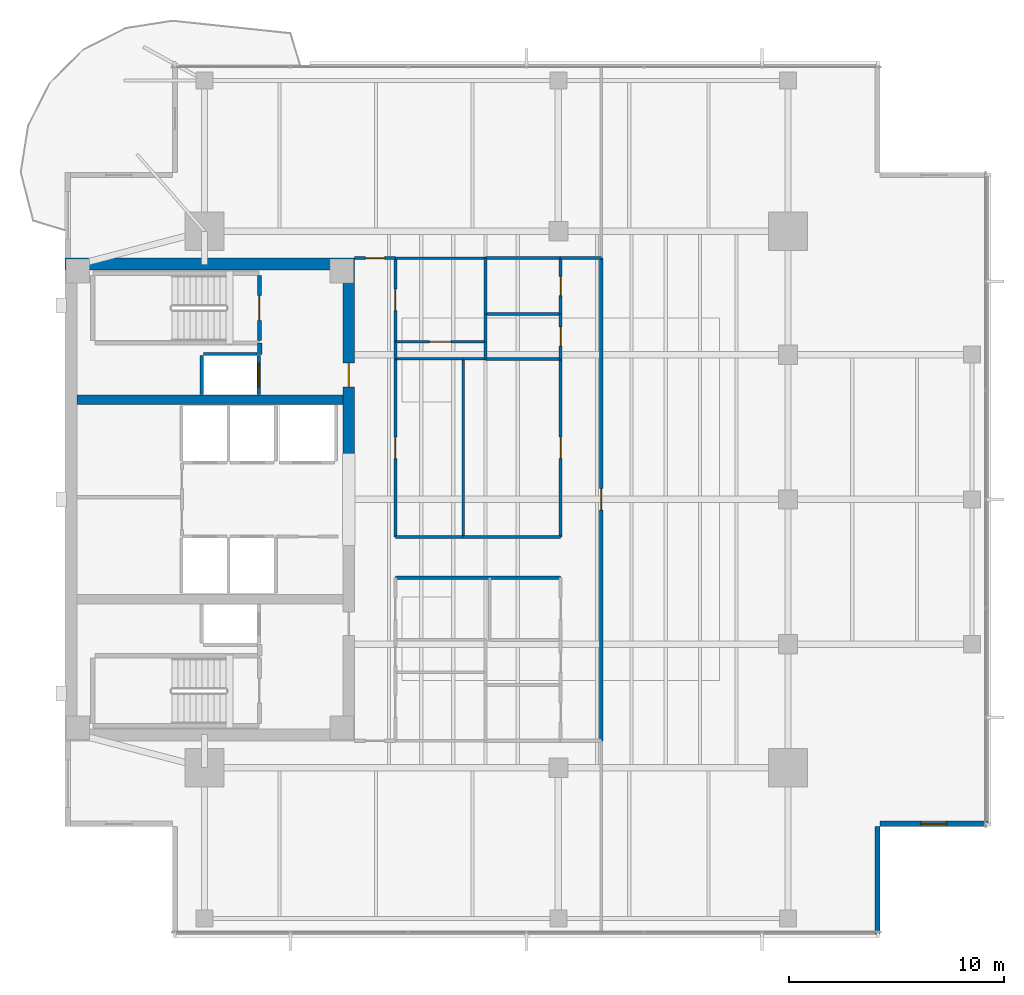
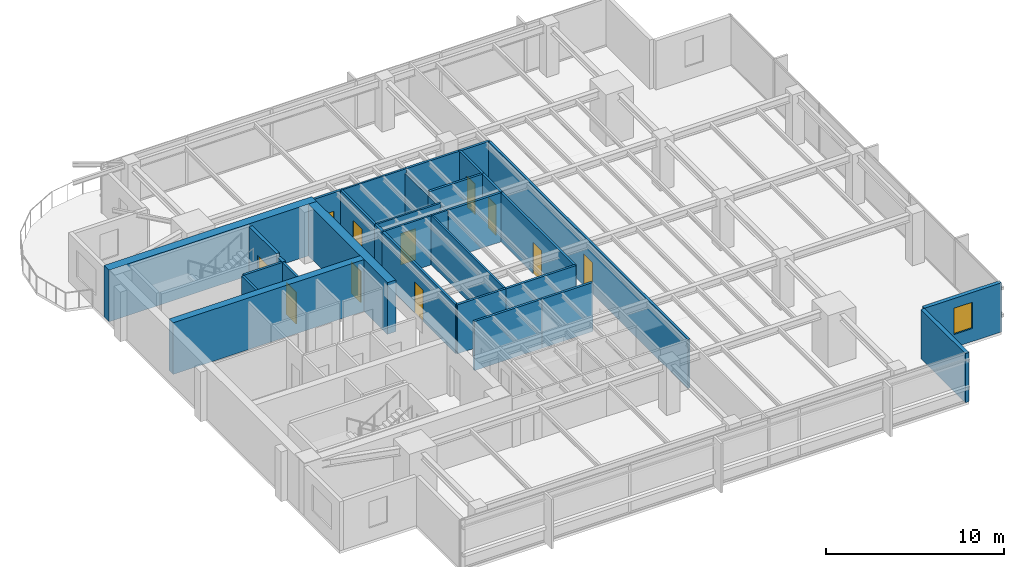
# One storey, part 9 of 14: 34 walls, 11 doors, 1 window, 12 openings.
"""IFC4 building model written with IfcOpenShell, lengths in metres."""

from ifc_helpers import new_model, si_unit, direction, frame, frame_2d, origin, place, context, subcontext, project, spatial, rectangle, extrude, material, layer, layer_set, type_object, element, fill, save


model = new_model("IFC4")

# Units and contexts
model_context = context("Model", 3, precision=1e-05, world=origin(), true_north=direction((0.0, 1.0)))
body_context = subcontext(model_context, "Body", "Model", "MODEL_VIEW")
ifc_project = project(units=[si_unit("LENGTHUNIT", "METRE"), si_unit("AREAUNIT", "SQUARE_METRE"), si_unit("VOLUMEUNIT", "CUBIC_METRE"), si_unit("PLANEANGLEUNIT", "RADIAN"), si_unit("MASSUNIT", "GRAM", prefix="KILO")], contexts=[model_context])

# Site, building, storey
site_placement = place(None, origin())
site = spatial("IfcSite", under=ifc_project, at=site_placement, CompositionType="ELEMENT")
building_placement = place(site_placement, origin())
building = spatial("IfcBuilding", under=site, at=building_placement, Name="Kinhvarn Gate Tower", CompositionType="ELEMENT")
storey_placement = place(building_placement, frame((0.0, 0.0, 198.699951171875)))
storey = spatial("IfcBuildingStorey", under=building, at=storey_placement, Name="L52", CompositionType="ELEMENT", Elevation=198.699951171875)

# Walls
ifc_material_1 = material(Name="Concrete C50/60", Category="concrete")
ifc_layer_1 = layer(ifc_material_1, 0.449951171875)
ifc_layer_set_1 = layer_set([ifc_layer_1], Name="Concrete C50/60")
wall_type_1 = type_object("IfcWallType", Name="WL-CORE-450", PredefinedType="SHEAR", material=ifc_layer_set_1)
wall_1_placement = place(storey_placement, frame((5.050048828125, 29.89990234375, 0.0), z_axis=(0.0, 0.0, 1.0), x_axis=(1.0, 0.0, 0.0)))
element("IfcWall", 1, at=wall_1_placement, inside=storey, type_object=wall_type_1, Name="Core North Spine Shear Wall L52 450 mm", PredefinedType="SHEAR", context=body_context, shape_type="SweptSolid", body=[
    extrude(rectangle(XDim=12.39990234375, YDim=0.449951171875, at=frame_2d((6.199951171875, 0.0))), origin(), (0.0, 0.0, 1.0), 3.550048828125),
])
ifc_material_2 = material(Name="Concrete C60/75", Category="concrete")
ifc_layer_2 = layer(ifc_material_2, 0.550048828125)
ifc_layer_set_2 = layer_set([ifc_layer_2], Name="Concrete C60/75")
wall_type_2 = type_object("IfcWallType", Name="WL-CORE-550", PredefinedType="SHEAR", material=ifc_layer_set_2)
wall_2_placement = place(storey_placement, frame((4.5, 36.22509765625, 0.0), z_axis=(0.0, 0.0, 1.0), x_axis=(1.0, 0.0, 0.0)))
element("IfcWall", 2, at=wall_2_placement, inside=storey, type_object=wall_type_2, Name="Core North Shear Wall L52 550 mm", PredefinedType="SHEAR", context=body_context, shape_type="SweptSolid", body=[
    extrude(rectangle(XDim=13.5, YDim=0.550048828125, at=frame_2d((6.75, 0.0))), origin(), (0.0, 0.0, 1.0), 3.550048828125),
])

# Wall, opening, door
wall_3_placement = place(storey_placement, frame((17.72509765625, 27.050048828125, 0.0), z_axis=(0.0, 0.0, 1.0), x_axis=(0.0, 1.0, 0.0)))
wall_3 = element("IfcWall", 3, at=wall_3_placement, inside=storey, type_object=wall_type_2, Name="Core East-North Shear Pier L52 550 mm", PredefinedType="SHEAR", context=body_context, shape_type="SweptSolid", body=[
    extrude(rectangle(XDim=8.89990234375, YDim=0.550048828125, at=frame_2d((4.449951171875, 0.0))), origin(), (0.0, 0.0, 1.0), 3.550048828125),
])
opening_1_placement = place(wall_3_placement, frame((3.449951171875, 0.0, 0.0)))
opening_1 = element("IfcOpeningElement", 4, at=opening_1_placement, cuts=wall_3, Name="Opening FD-02", PredefinedType="OPENING", context=body_context, shape_type="SweptSolid", body=[
    extrude(rectangle(XDim=1.10009765625, YDim=2.14990234375, at=frame_2d((0.550048828125, 1.074951171875))), frame((0.0, 0.28515625, 0.0), z_axis=(0.0, -1.0, 0.0), x_axis=(1.0, 0.0, 0.0)), (0.0, 0.0, 1.0), 0.570068359375),
])
ifc_material_3 = material(Name="Anodised aluminium AW-6063", Category="aluminium")
door_type_1 = type_object("IfcDoorType", Name="DR-FD-1100", OperationType="NOTDEFINED", PredefinedType="DOOR", material=ifc_material_3)
door_1_placement = place(opening_1_placement, origin())
door_1 = element("IfcDoor", 5, at=door_1_placement, inside=storey, type_object=door_type_1, Name="Firefighting Lobby Core Door (L52)", OperationType="SINGLE_SWING_LEFT", OverallHeight=2.14990234375, OverallWidth=1.10009765625, PredefinedType="DOOR", context=body_context, shape_type="SweptSolid", body=[
    extrude(rectangle(XDim=1.10009765625, YDim=2.14990234375, at=frame_2d((0.550048828125, 1.074951171875))), frame((0.0, 0.02490234375, 0.0), z_axis=(0.0, -1.0, 0.0), x_axis=(1.0, 0.0, 0.0)), (0.0, 0.0, 1.0), 0.050048828125),
])
fill(opening_1, door_1)

# Wall
ifc_material_4 = material(Name="Fired architectural terracotta", Category="masonry")
ifc_layer_3 = layer(ifc_material_4, 0.25)
ifc_layer_set_3 = layer_set([ifc_layer_3], Name="Fired architectural terracotta")
wall_type_3 = type_object("IfcWallType", Name="WL-EXT-250", PredefinedType="SOLIDWALL", material=ifc_layer_set_3)
wall_4_placement = place(storey_placement, frame((42.375, 5.0, 0.0), z_axis=(0.0, 0.0, 1.0), x_axis=(0.0, 1.0, 0.0)))
element("IfcWall", 6, at=wall_4_placement, inside=storey, type_object=wall_type_3, Name="Exterior Solidwall Wall EW-250 (L52 SE-Notch-1)", PredefinedType="SOLIDWALL", context=body_context, shape_type="SweptSolid", body=[
    extrude(rectangle(XDim=5.0, YDim=0.25, at=frame_2d((2.5, 0.0))), origin(), (0.0, 0.0, 1.0), 3.3701171875),
])

# Wall, opening, window
wall_5_placement = place(storey_placement, frame((42.5, 10.125, 0.0), z_axis=(0.0, 0.0, 1.0), x_axis=(1.0, 0.0, 0.0)))
wall_5 = element("IfcWall", 7, at=wall_5_placement, inside=storey, type_object=wall_type_3, Name="Exterior Solidwall Wall EW-250 (L52 SE-Notch-2)", PredefinedType="SOLIDWALL", context=body_context, shape_type="SweptSolid", body=[
    extrude(rectangle(XDim=5.0, YDim=0.25, at=frame_2d((2.5, 0.0))), origin(), (0.0, 0.0, 1.0), 3.3701171875),
])
opening_2_placement = place(wall_5_placement, frame((1.89990234375, 0.0, 0.89990234375)))
opening_2 = element("IfcOpeningElement", 8, at=opening_2_placement, cuts=wall_5, Name="Opening WN-02", PredefinedType="OPENING", context=body_context, shape_type="SweptSolid", body=[
    extrude(rectangle(XDim=1.199951171875, YDim=1.800048828125, at=frame_2d((0.60009765625, 0.89990234375))), frame((0.0, 0.135009765625, 0.0), z_axis=(0.0, -1.0, 0.0), x_axis=(1.0, 0.0, 0.0)), (0.0, 0.0, 1.0), 0.27001953125),
])
ifc_material_5 = material(Name="Clear low-e double glazing", Category="glass")
window_type = type_object("IfcWindowType", Name="WIN-NTC-1200", PartitioningType="SINGLE_PANEL", PredefinedType="WINDOW", material=ifc_material_5)
window_placement = place(opening_2_placement, origin())
window = element("IfcWindow", 9, at=window_placement, inside=storey, type_object=window_type, Name="Recessed Corner Notch Punched Window 1200x1800 mm (L52)", OverallHeight=1.800048828125, OverallWidth=1.199951171875, PartitioningType="SINGLE_PANEL", PredefinedType="WINDOW", context=body_context, shape_type="SweptSolid", body=[
    extrude(rectangle(XDim=1.199951171875, YDim=1.800048828125, at=frame_2d((0.60009765625, 0.89990234375))), frame((0.0, 0.030029296875, 0.0), z_axis=(0.0, -1.0, 0.0), x_axis=(1.0, 0.0, 0.0)), (0.0, 0.0, 1.0), 0.06005859375),
])
fill(opening_2, window)

# Walls
ifc_material_6 = material(Name="Gypsum acoustic partition board")
ifc_layer_4 = layer(ifc_material_6, 0.14990234375)
ifc_layer_set_4 = layer_set([ifc_layer_4], Name="Gypsum acoustic partition board")
wall_type_4 = type_object("IfcWallType", Name="WL-PLM-150", PredefinedType="PLUMBINGWALL", material=ifc_layer_set_4)
wall_6_placement = place(storey_placement, frame((24.10009765625, 33.89990234375, 0.0), z_axis=(0.0, 0.0, 1.0), x_axis=(1.0, 0.0, 0.0)))
element("IfcWall", 10, at=wall_6_placement, inside=storey, type_object=wall_type_4, Name="Interior Partition PLW-150 (L52)", PredefinedType="PLUMBINGWALL", context=body_context, shape_type="SweptSolid", body=[
    extrude(rectangle(XDim=3.5, YDim=0.14990234375, at=frame_2d((1.75, 0.0))), origin(), (0.0, 0.0, 1.0), 3.3701171875),
])
wall_7_placement = place(storey_placement, frame((24.10009765625, 33.89990234375, 0.0), z_axis=(0.0, 0.0, 1.0), x_axis=(0.0, 1.0, 0.0)))
element("IfcWall", 11, at=wall_7_placement, inside=storey, type_object=wall_type_4, Name="Interior Partition PLW-150 (L52)", PredefinedType="PLUMBINGWALL", context=body_context, shape_type="SweptSolid", body=[
    extrude(rectangle(XDim=2.60009765625, YDim=0.14990234375, at=frame_2d((1.300048828125, 0.0))), origin(), (0.0, 0.0, 1.0), 3.070068359375),
])
wall_8_placement = place(storey_placement, frame((24.10009765625, 36.5, 0.0), z_axis=(0.0, 0.0, 1.0), x_axis=(1.0, 0.0, 0.0)))
element("IfcWall", 12, at=wall_8_placement, inside=storey, type_object=wall_type_4, Name="Interior Partition PLW-150 (L52)", PredefinedType="PLUMBINGWALL", context=body_context, shape_type="SweptSolid", body=[
    extrude(rectangle(XDim=3.5, YDim=0.14990234375, at=frame_2d((1.75, 0.0))), origin(), (0.0, 0.0, 1.0), 3.3701171875),
])
wall_9_placement = place(storey_placement, frame((24.10009765625, 32.60009765625, 0.0), z_axis=(0.0, 0.0, 1.0), x_axis=(0.0, 1.0, 0.0)))
element("IfcWall", 13, at=wall_9_placement, inside=storey, type_object=wall_type_4, Name="Interior Partition PLW-150 (L52)", PredefinedType="PLUMBINGWALL", context=body_context, shape_type="SweptSolid", body=[
    extrude(rectangle(XDim=1.2998046875, YDim=0.14990234375, at=frame_2d((0.64990234375, 0.0))), origin(), (0.0, 0.0, 1.0), 3.070068359375),
])
wall_10_placement = place(storey_placement, frame((24.10009765625, 31.800048828125, 0.0), z_axis=(0.0, 0.0, 1.0), x_axis=(0.0, 1.0, 0.0)))
element("IfcWall", 14, at=wall_10_placement, inside=storey, type_object=wall_type_4, Name="Interior Partition PLW-150 (L52)", PredefinedType="PLUMBINGWALL", context=body_context, shape_type="SweptSolid", body=[
    extrude(rectangle(XDim=0.800048828125, YDim=0.14990234375, at=frame_2d((0.39990234375, 0.0))), origin(), (0.0, 0.0, 1.0), 3.070068359375),
])
wall_11_placement = place(storey_placement, frame((24.10009765625, 31.800048828125, 0.0), z_axis=(0.0, 0.0, 1.0), x_axis=(1.0, 0.0, 0.0)))
element("IfcWall", 15, at=wall_11_placement, inside=storey, type_object=wall_type_4, Name="Interior Partition PLW-150 (L52)", PredefinedType="PLUMBINGWALL", context=body_context, shape_type="SweptSolid", body=[
    extrude(rectangle(XDim=3.5, YDim=0.14990234375, at=frame_2d((1.75, 0.0))), origin(), (0.0, 0.0, 1.0), 3.3701171875),
])

# Wall, opening, door
ifc_layer_5 = layer(ifc_material_6, 0.14990234375)
ifc_layer_set_5 = layer_set([ifc_layer_5], Name="Gypsum acoustic partition board")
wall_type_5 = type_object("IfcWallType", Name="WL-PLM-150F", PredefinedType="PLUMBINGWALL", material=ifc_layer_set_5)
wall_12_placement = place(storey_placement, frame((27.60009765625, 33.89990234375, 0.0), z_axis=(0.0, 0.0, 1.0), x_axis=(0.0, 1.0, 0.0)))
wall_12 = element("IfcWall", 16, at=wall_12_placement, inside=storey, type_object=wall_type_5, Name="Interior Partition PLW-150F (L52)", PredefinedType="PLUMBINGWALL", context=body_context, shape_type="SweptSolid", body=[
    extrude(rectangle(XDim=2.60009765625, YDim=0.14990234375, at=frame_2d((1.300048828125, 0.0))), origin(), (0.0, 0.0, 1.0), 3.3701171875),
])
opening_3_placement = place(wall_12_placement, frame((0.85009765625, 0.0, 0.0)))
opening_3 = element("IfcOpeningElement", 17, at=opening_3_placement, cuts=wall_12, Name="Opening FD-04", PredefinedType="OPENING", context=body_context, shape_type="SweptSolid", body=[
    extrude(rectangle(XDim=0.89990234375, YDim=2.10009765625, at=frame_2d((0.449951171875, 1.050048828125))), frame((0.0, 0.0849609375, 0.0), z_axis=(0.0, -1.0, 0.0), x_axis=(1.0, 0.0, 0.0)), (0.0, 0.0, 1.0), 0.169921875),
])
door_type_2 = type_object("IfcDoorType", Name="DR-FD-900", OperationType="NOTDEFINED", PredefinedType="DOOR", material=ifc_material_3)
door_2_placement = place(opening_3_placement, origin())
door_2 = element("IfcDoor", 18, at=door_2_placement, inside=storey, type_object=door_type_2, Name="Rated Riser & Service Closet Fire Door 900x2100 mm (L52)", OperationType="SINGLE_SWING_RIGHT", OverallHeight=2.10009765625, OverallWidth=0.89990234375, PredefinedType="DOOR", context=body_context, shape_type="SweptSolid", body=[
    extrude(rectangle(XDim=0.89990234375, YDim=2.10009765625, at=frame_2d((0.449951171875, 1.050048828125))), frame((0.0, 0.02490234375, 0.0), z_axis=(0.0, -1.0, 0.0), x_axis=(1.0, 0.0, 0.0)), (0.0, 0.0, 1.0), 0.050048828125),
])
fill(opening_3, door_2)

wall_13_placement = place(storey_placement, frame((27.60009765625, 31.800048828125, 0.0), z_axis=(0.0, 0.0, 1.0), x_axis=(0.0, 1.0, 0.0)))
wall_13 = element("IfcWall", 19, at=wall_13_placement, inside=storey, type_object=wall_type_5, Name="Interior Partition PLW-150F (L52)", PredefinedType="PLUMBINGWALL", context=body_context, shape_type="SweptSolid", body=[
    extrude(rectangle(XDim=2.099853515625, YDim=0.14990234375, at=frame_2d((1.0498046875, 0.0))), origin(), (0.0, 0.0, 1.0), 3.3701171875),
])
opening_4_placement = place(wall_13_placement, frame((0.60009765625, 0.0, 0.0)))
opening_4 = element("IfcOpeningElement", 20, at=opening_4_placement, cuts=wall_13, Name="Opening FD-04", PredefinedType="OPENING", context=body_context, shape_type="SweptSolid", body=[
    extrude(rectangle(XDim=0.89990234375, YDim=2.10009765625, at=frame_2d((0.449951171875, 1.050048828125))), frame((0.0, 0.0849609375, 0.0), z_axis=(0.0, -1.0, 0.0), x_axis=(1.0, 0.0, 0.0)), (0.0, 0.0, 1.0), 0.169921875),
])
door_3_placement = place(opening_4_placement, origin())
door_3 = element("IfcDoor", 21, at=door_3_placement, inside=storey, type_object=door_type_2, Name="Rated Riser & Service Closet Fire Door 900x2100 mm (L52)", OperationType="SINGLE_SWING_RIGHT", OverallHeight=2.10009765625, OverallWidth=0.89990234375, PredefinedType="DOOR", context=body_context, shape_type="SweptSolid", body=[
    extrude(rectangle(XDim=0.89990234375, YDim=2.10009765625, at=frame_2d((0.449951171875, 1.050048828125))), frame((0.0, 0.02490234375, 0.0), z_axis=(0.0, -1.0, 0.0), x_axis=(1.0, 0.0, 0.0)), (0.0, 0.0, 1.0), 0.050048828125),
])
fill(opening_4, door_3)

ifc_layer_6 = layer(ifc_material_6, 0.1201171875)
ifc_layer_set_6 = layer_set([ifc_layer_6], Name="Gypsum acoustic partition board")
wall_type_6 = type_object("IfcWallType", Name="WL-PRT-120", PredefinedType="PARTITIONING", material=ifc_layer_set_6)
wall_14_placement = place(storey_placement, frame((19.89990234375, 32.60009765625, 0.0), z_axis=(0.0, 0.0, 1.0), x_axis=(1.0, 0.0, 0.0)))
wall_14 = element("IfcWall", 22, at=wall_14_placement, inside=storey, type_object=wall_type_6, Name="Interior Partition PW-120 (L52)", PredefinedType="PARTITIONING", context=body_context, shape_type="SweptSolid", body=[
    extrude(rectangle(XDim=4.2001953125, YDim=0.1201171875, at=frame_2d((2.10009765625, 0.0))), origin(), (0.0, 0.0, 1.0), 3.3701171875),
])
opening_5_placement = place(wall_14_placement, frame((1.60009765625, 0.0, 0.0)))
opening_5 = element("IfcOpeningElement", 23, at=opening_5_placement, cuts=wall_14, Name="Opening ID-02", PredefinedType="OPENING", context=body_context, shape_type="SweptSolid", body=[
    extrude(rectangle(XDim=1.0, YDim=2.14990234375, at=frame_2d((0.5, 1.074951171875))), frame((0.0, 0.070068359375, 0.0), z_axis=(0.0, -1.0, 0.0), x_axis=(1.0, 0.0, 0.0)), (0.0, 0.0, 1.0), 0.14013671875),
])
door_type_3 = type_object("IfcDoorType", Name="DR-INT-1000", OperationType="NOTDEFINED", PredefinedType="DOOR", material=ifc_material_3)
door_4_placement = place(opening_5_placement, origin())
door_4 = element("IfcDoor", 24, at=door_4_placement, inside=storey, type_object=door_type_3, Name="Standard Office & Meeting Room Door 1000x2150 mm (L52)", OperationType="SINGLE_SWING_RIGHT", OverallHeight=2.14990234375, OverallWidth=1.0, PredefinedType="DOOR", context=body_context, shape_type="SweptSolid", body=[
    extrude(rectangle(XDim=1.0, YDim=2.14990234375, at=frame_2d((0.5, 1.074951171875))), frame((0.0, 0.02490234375, 0.0), z_axis=(0.0, -1.0, 0.0), x_axis=(1.0, 0.0, 0.0)), (0.0, 0.0, 1.0), 0.050048828125),
])
fill(opening_5, door_4)

# Walls
wall_15_placement = place(storey_placement, frame((19.89990234375, 36.5, 0.0), z_axis=(0.0, 0.0, 1.0), x_axis=(1.0, 0.0, 0.0)))
element("IfcWall", 25, at=wall_15_placement, inside=storey, type_object=wall_type_6, Name="Interior Partition PW-120 (L52)", PredefinedType="PARTITIONING", context=body_context, shape_type="SweptSolid", body=[
    extrude(rectangle(XDim=4.2001953125, YDim=0.1201171875, at=frame_2d((2.10009765625, 0.0))), origin(), (0.0, 0.0, 1.0), 3.3701171875),
])
wall_16_placement = place(storey_placement, frame((19.89990234375, 31.800048828125, 0.0), z_axis=(0.0, 0.0, 1.0), x_axis=(1.0, 0.0, 0.0)))
element("IfcWall", 26, at=wall_16_placement, inside=storey, type_object=wall_type_6, Name="Interior Partition PW-120 (L52)", PredefinedType="PARTITIONING", context=body_context, shape_type="SweptSolid", body=[
    extrude(rectangle(XDim=3.16015625, YDim=0.1201171875, at=frame_2d((1.580078125, 0.0))), origin(), (0.0, 0.0, 1.0), 3.3701171875),
])
wall_17_placement = place(storey_placement, frame((23.06005859375, 31.800048828125, 0.0), z_axis=(0.0, 0.0, 1.0), x_axis=(1.0, 0.0, 0.0)))
element("IfcWall", 27, at=wall_17_placement, inside=storey, type_object=wall_type_6, Name="Interior Partition PW-120 (L52)", PredefinedType="PARTITIONING", context=body_context, shape_type="SweptSolid", body=[
    extrude(rectangle(XDim=1.0400390625, YDim=0.1201171875, at=frame_2d((0.52001953125, 0.0))), origin(), (0.0, 0.0, 1.0), 3.3701171875),
])
wall_18_placement = place(storey_placement, frame((23.06005859375, 23.5, 0.0), z_axis=(0.0, 0.0, 1.0), x_axis=(0.0, 1.0, 0.0)))
element("IfcWall", 28, at=wall_18_placement, inside=storey, type_object=wall_type_6, Name="Interior Partition PW-120 (L52)", PredefinedType="PARTITIONING", context=body_context, shape_type="SweptSolid", body=[
    extrude(rectangle(XDim=8.300048828125, YDim=0.1201171875, at=frame_2d((4.14990234375, 0.0))), origin(), (0.0, 0.0, 1.0), 3.3701171875),
])

# Wall, opening, door
ifc_layer_7 = layer(ifc_material_6, 0.14990234375)
ifc_layer_set_7 = layer_set([ifc_layer_7], Name="Gypsum acoustic partition board")
wall_type_7 = type_object("IfcWallType", Name="WL-PRT-150F", PredefinedType="PARTITIONING", material=ifc_layer_set_7)
wall_19_placement = place(storey_placement, frame((19.89990234375, 32.60009765625, 0.0), z_axis=(0.0, 0.0, 1.0), x_axis=(0.0, 1.0, 0.0)))
wall_19 = element("IfcWall", 29, at=wall_19_placement, inside=storey, type_object=wall_type_7, Name="Interior Partition PW-150F (L52)", PredefinedType="PARTITIONING", context=body_context, shape_type="SweptSolid", body=[
    extrude(rectangle(XDim=3.89990234375, YDim=0.14990234375, at=frame_2d((1.949951171875, 0.0))), origin(), (0.0, 0.0, 1.0), 3.3701171875),
])
opening_6_placement = place(wall_19_placement, frame((1.449951171875, 0.0, 0.0)))
opening_6 = element("IfcOpeningElement", 30, at=opening_6_placement, cuts=wall_19, Name="Opening ID-02", PredefinedType="OPENING", context=body_context, shape_type="SweptSolid", body=[
    extrude(rectangle(XDim=1.0, YDim=2.14990234375, at=frame_2d((0.5, 1.074951171875))), frame((0.0, 0.0849609375, 0.0), z_axis=(0.0, -1.0, 0.0), x_axis=(1.0, 0.0, 0.0)), (0.0, 0.0, 1.0), 0.169921875),
])
door_5_placement = place(opening_6_placement, origin())
door_5 = element("IfcDoor", 31, at=door_5_placement, inside=storey, type_object=door_type_3, Name="Standard Office & Meeting Room Door 1000x2150 mm (L52)", OperationType="SINGLE_SWING_RIGHT", OverallHeight=2.14990234375, OverallWidth=1.0, PredefinedType="DOOR", context=body_context, shape_type="SweptSolid", body=[
    extrude(rectangle(XDim=1.0, YDim=2.14990234375, at=frame_2d((0.5, 1.074951171875))), frame((0.0, 0.02490234375, 0.0), z_axis=(0.0, -1.0, 0.0), x_axis=(1.0, 0.0, 0.0)), (0.0, 0.0, 1.0), 0.050048828125),
])
fill(opening_6, door_5)

# Wall
wall_20_placement = place(storey_placement, frame((19.89990234375, 31.800048828125, 0.0), z_axis=(0.0, 0.0, 1.0), x_axis=(0.0, 1.0, 0.0)))
element("IfcWall", 32, at=wall_20_placement, inside=storey, type_object=wall_type_7, Name="Interior Partition PW-150F (L52)", PredefinedType="PARTITIONING", context=body_context, shape_type="SweptSolid", body=[
    extrude(rectangle(XDim=0.800048828125, YDim=0.14990234375, at=frame_2d((0.39990234375, 0.0))), origin(), (0.0, 0.0, 1.0), 3.3701171875),
])

# Wall, opening, door
wall_21_placement = place(storey_placement, frame((19.89990234375, 23.5, 0.0), z_axis=(0.0, 0.0, 1.0), x_axis=(0.0, 1.0, 0.0)))
wall_21 = element("IfcWall", 33, at=wall_21_placement, inside=storey, type_object=wall_type_7, Name="Interior Partition PW-150F (L52)", PredefinedType="PARTITIONING", context=body_context, shape_type="SweptSolid", body=[
    extrude(rectangle(XDim=8.300048828125, YDim=0.14990234375, at=frame_2d((4.14990234375, 0.0))), origin(), (0.0, 0.0, 1.0), 3.3701171875),
])
opening_7_placement = place(wall_21_placement, frame((3.64990234375, 0.0, 0.0)))
opening_7 = element("IfcOpeningElement", 34, at=opening_7_placement, cuts=wall_21, Name="Opening ID-02", PredefinedType="OPENING", context=body_context, shape_type="SweptSolid", body=[
    extrude(rectangle(XDim=1.0, YDim=2.14990234375, at=frame_2d((0.5, 1.074951171875))), frame((0.0, 0.0849609375, 0.0), z_axis=(0.0, -1.0, 0.0), x_axis=(1.0, 0.0, 0.0)), (0.0, 0.0, 1.0), 0.169921875),
])
door_6_placement = place(opening_7_placement, origin())
door_6 = element("IfcDoor", 35, at=door_6_placement, inside=storey, type_object=door_type_3, Name="Standard Office & Meeting Room Door 1000x2150 mm (L52)", OperationType="SINGLE_SWING_RIGHT", OverallHeight=2.14990234375, OverallWidth=1.0, PredefinedType="DOOR", context=body_context, shape_type="SweptSolid", body=[
    extrude(rectangle(XDim=1.0, YDim=2.14990234375, at=frame_2d((0.5, 1.074951171875))), frame((0.0, 0.02490234375, 0.0), z_axis=(0.0, -1.0, 0.0), x_axis=(1.0, 0.0, 0.0)), (0.0, 0.0, 1.0), 0.050048828125),
])
fill(opening_7, door_6)

wall_22_placement = place(storey_placement, frame((18.0, 36.5, 0.0), z_axis=(0.0, 0.0, 1.0), x_axis=(1.0, 0.0, 0.0)))
wall_22 = element("IfcWall", 36, at=wall_22_placement, inside=storey, type_object=wall_type_7, Name="Interior Partition PW-150F (L52)", PredefinedType="PARTITIONING", context=body_context, shape_type="SweptSolid", body=[
    extrude(rectangle(XDim=1.89990234375, YDim=0.14990234375, at=frame_2d((0.949951171875, 0.0))), origin(), (0.0, 0.0, 1.0), 3.3701171875),
])
opening_8_placement = place(wall_22_placement, frame((0.5, 0.0, 0.0)))
opening_8 = element("IfcOpeningElement", 37, at=opening_8_placement, cuts=wall_22, Name="Opening ID-03", PredefinedType="OPENING", context=body_context, shape_type="SweptSolid", body=[
    extrude(rectangle(XDim=0.89990234375, YDim=2.10009765625, at=frame_2d((0.449951171875, 1.050048828125))), frame((0.0, 0.0849609375, 0.0), z_axis=(0.0, -1.0, 0.0), x_axis=(1.0, 0.0, 0.0)), (0.0, 0.0, 1.0), 0.169921875),
])
door_type_4 = type_object("IfcDoorType", Name="DR-INT-900", OperationType="NOTDEFINED", PredefinedType="DOOR", material=ifc_material_3)
door_7_placement = place(opening_8_placement, origin())
door_7 = element("IfcDoor", 38, at=door_7_placement, inside=storey, type_object=door_type_4, Name="Cellular Office & Restroom Door 900x2100 mm (L52)", OperationType="SINGLE_SWING_RIGHT", OverallHeight=2.10009765625, OverallWidth=0.89990234375, PredefinedType="DOOR", context=body_context, shape_type="SweptSolid", body=[
    extrude(rectangle(XDim=0.89990234375, YDim=2.10009765625, at=frame_2d((0.449951171875, 1.050048828125))), frame((0.0, 0.02490234375, 0.0), z_axis=(0.0, -1.0, 0.0), x_axis=(1.0, 0.0, 0.0)), (0.0, 0.0, 1.0), 0.050048828125),
])
fill(opening_8, door_7)

# Walls
wall_23_placement = place(storey_placement, frame((19.89990234375, 21.60009765625, 0.0), z_axis=(0.0, 0.0, 1.0), x_axis=(1.0, 0.0, 0.0)))
element("IfcWall", 39, at=wall_23_placement, inside=storey, type_object=wall_type_7, Name="Interior Partition PW-150F (L52)", PredefinedType="PARTITIONING", context=body_context, shape_type="SweptSolid", body=[
    extrude(rectangle(XDim=4.39013671875, YDim=0.14990234375, at=frame_2d((2.195068359375, 0.0))), origin(), (0.0, 0.0, 1.0), 3.3701171875),
])
wall_24_placement = place(storey_placement, frame((24.2900390625, 21.60009765625, 0.0), z_axis=(0.0, 0.0, 1.0), x_axis=(1.0, 0.0, 0.0)))
element("IfcWall", 40, at=wall_24_placement, inside=storey, type_object=wall_type_7, Name="Interior Partition PW-150F (L52)", PredefinedType="PARTITIONING", context=body_context, shape_type="SweptSolid", body=[
    extrude(rectangle(XDim=3.31005859375, YDim=0.14990234375, at=frame_2d((1.655029296875, 0.0))), origin(), (0.0, 0.0, 1.0), 3.3701171875),
])
wall_25_placement = place(storey_placement, frame((19.89990234375, 23.5, 0.0), z_axis=(0.0, 0.0, 1.0), x_axis=(1.0, 0.0, 0.0)))
element("IfcWall", 41, at=wall_25_placement, inside=storey, type_object=wall_type_7, Name="Interior Partition PW-150F (L52)", PredefinedType="PARTITIONING", context=body_context, shape_type="SweptSolid", body=[
    extrude(rectangle(XDim=3.16015625, YDim=0.14990234375, at=frame_2d((1.580078125, 0.0))), origin(), (0.0, 0.0, 1.0), 3.3701171875),
])
wall_26_placement = place(storey_placement, frame((23.06005859375, 23.5, 0.0), z_axis=(0.0, 0.0, 1.0), x_axis=(1.0, 0.0, 0.0)))
element("IfcWall", 42, at=wall_26_placement, inside=storey, type_object=wall_type_7, Name="Interior Partition PW-150F (L52)", PredefinedType="PARTITIONING", context=body_context, shape_type="SweptSolid", body=[
    extrude(rectangle(XDim=4.5400390625, YDim=0.14990234375, at=frame_2d((2.27001953125, 0.0))), origin(), (0.0, 0.0, 1.0), 3.3701171875),
])

# Wall, opening, door
wall_27_placement = place(storey_placement, frame((27.60009765625, 23.5, 0.0), z_axis=(0.0, 0.0, 1.0), x_axis=(0.0, 1.0, 0.0)))
wall_27 = element("IfcWall", 43, at=wall_27_placement, inside=storey, type_object=wall_type_7, Name="Interior Partition PW-150F (L52)", PredefinedType="PARTITIONING", context=body_context, shape_type="SweptSolid", body=[
    extrude(rectangle(XDim=8.300048828125, YDim=0.14990234375, at=frame_2d((4.14990234375, 0.0))), origin(), (0.0, 0.0, 1.0), 3.3701171875),
])
opening_9_placement = place(wall_27_placement, frame((3.64990234375, 0.0, 0.0)))
opening_9 = element("IfcOpeningElement", 44, at=opening_9_placement, cuts=wall_27, Name="Opening ID-02", PredefinedType="OPENING", context=body_context, shape_type="SweptSolid", body=[
    extrude(rectangle(XDim=1.0, YDim=2.14990234375, at=frame_2d((0.5, 1.074951171875))), frame((0.0, 0.0849609375, 0.0), z_axis=(0.0, -1.0, 0.0), x_axis=(1.0, 0.0, 0.0)), (0.0, 0.0, 1.0), 0.169921875),
])
door_8_placement = place(opening_9_placement, origin())
door_8 = element("IfcDoor", 45, at=door_8_placement, inside=storey, type_object=door_type_3, Name="Standard Office & Meeting Room Door 1000x2150 mm (L52)", OperationType="SINGLE_SWING_RIGHT", OverallHeight=2.14990234375, OverallWidth=1.0, PredefinedType="DOOR", context=body_context, shape_type="SweptSolid", body=[
    extrude(rectangle(XDim=1.0, YDim=2.14990234375, at=frame_2d((0.5, 1.074951171875))), frame((0.0, 0.02490234375, 0.0), z_axis=(0.0, -1.0, 0.0), x_axis=(1.0, 0.0, 0.0)), (0.0, 0.0, 1.0), 0.050048828125),
])
fill(opening_9, door_8)

# Wall
wall_28_placement = place(storey_placement, frame((27.60009765625, 36.5, 0.0), z_axis=(0.0, 0.0, 1.0), x_axis=(1.0, 0.0, 0.0)))
element("IfcWall", 46, at=wall_28_placement, inside=storey, type_object=wall_type_7, Name="Interior Partition PW-150F (L52)", PredefinedType="PARTITIONING", context=body_context, shape_type="SweptSolid", body=[
    extrude(rectangle(XDim=1.89990234375, YDim=0.14990234375, at=frame_2d((0.949951171875, 0.0))), origin(), (0.0, 0.0, 1.0), 3.3701171875),
])

# Wall, opening, door
wall_29_placement = place(storey_placement, frame((29.5, 14.0, 0.0), z_axis=(0.0, 0.0, 1.0), x_axis=(0.0, 1.0, 0.0)))
wall_29 = element("IfcWall", 47, at=wall_29_placement, inside=storey, type_object=wall_type_7, Name="Interior Partition PW-150F (L52)", PredefinedType="PARTITIONING", context=body_context, shape_type="SweptSolid", body=[
    extrude(rectangle(XDim=22.5, YDim=0.14990234375, at=frame_2d((11.25, 0.0))), origin(), (0.0, 0.0, 1.0), 3.3701171875),
])
opening_10_placement = place(wall_29_placement, frame((10.75, 0.0, 0.0)))
opening_10 = element("IfcOpeningElement", 48, at=opening_10_placement, cuts=wall_29, Name="Opening ID-02", PredefinedType="OPENING", context=body_context, shape_type="SweptSolid", body=[
    extrude(rectangle(XDim=1.0, YDim=2.14990234375, at=frame_2d((0.5, 1.074951171875))), frame((0.0, 0.0849609375, 0.0), z_axis=(0.0, -1.0, 0.0), x_axis=(1.0, 0.0, 0.0)), (0.0, 0.0, 1.0), 0.169921875),
])
door_9_placement = place(opening_10_placement, origin())
door_9 = element("IfcDoor", 49, at=door_9_placement, inside=storey, type_object=door_type_3, Name="Standard Office & Meeting Room Door 1000x2150 mm (L52)", OperationType="SINGLE_SWING_LEFT", OverallHeight=2.14990234375, OverallWidth=1.0, PredefinedType="DOOR", context=body_context, shape_type="SweptSolid", body=[
    extrude(rectangle(XDim=1.0, YDim=2.14990234375, at=frame_2d((0.5, 1.074951171875))), frame((0.0, 0.02490234375, 0.0), z_axis=(0.0, -1.0, 0.0), x_axis=(1.0, 0.0, 0.0)), (0.0, 0.0, 1.0), 0.050048828125),
])
fill(opening_10, door_9)

# Walls
ifc_layer_8 = layer(ifc_material_6, 0.199951171875)
ifc_layer_set_8 = layer_set([ifc_layer_8], Name="Gypsum acoustic partition board")
wall_type_8 = type_object("IfcWallType", Name="WL-PRT-200", PredefinedType="PARTITIONING", material=ifc_layer_set_8)
wall_30_placement = place(storey_placement, frame((13.580078125, 32.0, 0.0), z_axis=(0.0, 0.0, 1.0), x_axis=(0.0, 1.0, 0.0)))
element("IfcWall", 50, at=wall_30_placement, inside=storey, type_object=wall_type_8, Name="Interior Partition PW-200 (L52)", PredefinedType="PARTITIONING", context=body_context, shape_type="SweptSolid", body=[
    extrude(rectangle(XDim=0.5400390625, YDim=0.199951171875, at=frame_2d((0.27001953125, 0.0))), origin(), (0.0, 0.0, 1.0), 3.3701171875),
])
ifc_layer_9 = layer(ifc_material_6, 0.14990234375)
ifc_layer_set_9 = layer_set([ifc_layer_9], Name="Gypsum acoustic partition board")
wall_type_9 = type_object("IfcWallType", Name="WL-SHF-150", PredefinedType="PARTITIONING", material=ifc_layer_set_9)
wall_31_placement = place(storey_placement, frame((10.949951171875, 32.02490234375, 0.0), z_axis=(0.0, 0.0, 1.0), x_axis=(1.0, 0.0, 0.0)))
element("IfcWall", 51, at=wall_31_placement, inside=storey, type_object=wall_type_9, Name="Elevator FF2 Hoistway Wall N (L52)", PredefinedType="PARTITIONING", context=body_context, shape_type="SweptSolid", body=[
    extrude(rectangle(XDim=2.5, YDim=0.14990234375, at=frame_2d((1.25, 0.0))), origin(), (0.0, 0.0, 1.0), 3.3701171875),
])
wall_32_placement = place(storey_placement, frame((10.875, 30.14990234375, 0.0), z_axis=(0.0, 0.0, 1.0), x_axis=(0.0, 1.0, 0.0)))
element("IfcWall", 52, at=wall_32_placement, inside=storey, type_object=wall_type_9, Name="Elevator FF2 Hoistway Wall W (L52)", PredefinedType="PARTITIONING", context=body_context, shape_type="SweptSolid", body=[
    extrude(rectangle(XDim=1.800048828125, YDim=0.14990234375, at=frame_2d((0.89990234375, 0.0))), origin(), (0.0, 0.0, 1.0), 3.3701171875),
])

# Wall, opening, door
wall_33_placement = place(storey_placement, frame((13.52490234375, 30.14990234375, 0.0), z_axis=(0.0, 0.0, 1.0), x_axis=(0.0, 1.0, 0.0)))
wall_33 = element("IfcWall", 53, at=wall_33_placement, inside=storey, type_object=wall_type_9, Name="Elevator FF2 Landing Wall (L52)", PredefinedType="PARTITIONING", context=body_context, shape_type="SweptSolid", body=[
    extrude(rectangle(XDim=1.800048828125, YDim=0.14990234375, at=frame_2d((0.89990234375, 0.0))), origin(), (0.0, 0.0, 1.0), 3.3701171875),
])
opening_11_placement = place(wall_33_placement, frame((0.35009765625, 0.0, 0.0)))
opening_11 = element("IfcOpeningElement", 54, at=opening_11_placement, cuts=wall_33, Name="Opening LD-03", PredefinedType="OPENING", context=body_context, shape_type="SweptSolid", body=[
    extrude(rectangle(XDim=1.10009765625, YDim=2.199951171875, at=frame_2d((0.550048828125, 1.10009765625))), frame((0.0, 0.0849609375, 0.0), z_axis=(0.0, -1.0, 0.0), x_axis=(1.0, 0.0, 0.0)), (0.0, 0.0, 1.0), 0.169921875),
])
door_type_5 = type_object("IfcDoorType", Name="DR-LND-FF", OperationType="NOTDEFINED", PredefinedType="DOOR", material=ifc_material_3)
door_10_placement = place(opening_11_placement, origin())
door_10 = element("IfcDoor", 55, at=door_10_placement, inside=storey, type_object=door_type_5, Name="Elevator FF2 Sliding Landing Door (L52)", OperationType="DOUBLE_DOOR_SLIDING", OverallHeight=2.199951171875, OverallWidth=1.10009765625, PredefinedType="DOOR", context=body_context, shape_type="SweptSolid", body=[
    extrude(rectangle(XDim=1.10009765625, YDim=2.199951171875, at=frame_2d((0.550048828125, 1.10009765625))), frame((0.0, 0.02490234375, 0.0), z_axis=(0.0, -1.0, 0.0), x_axis=(1.0, 0.0, 0.0)), (0.0, 0.0, 1.0), 0.050048828125),
])
fill(opening_11, door_10)

ifc_material_7 = material(Name="Concrete C40/50", Category="concrete")
ifc_layer_10 = layer(ifc_material_7, 0.199951171875)
ifc_layer_set_10 = layer_set([ifc_layer_10], Name="Concrete C40/50")
wall_type_10 = type_object("IfcWallType", Name="WL-SHF-200", PredefinedType="SOLIDWALL", material=ifc_layer_set_10)
wall_34_placement = place(storey_placement, frame((13.56005859375, 32.64990234375, 0.0), z_axis=(0.0, 0.0, 1.0), x_axis=(0.0, 1.0, 0.0)))
wall_34 = element("IfcWall", 56, at=wall_34_placement, inside=storey, type_object=wall_type_10, Name="Stair ST2 East Entry Wall (L52)", PredefinedType="SOLIDWALL", context=body_context, shape_type="SweptSolid", body=[
    extrude(rectangle(XDim=3.050048828125, YDim=0.199951171875, at=frame_2d((1.52490234375, 0.0))), origin(), (0.0, 0.0, 1.0), 3.550048828125),
])
opening_12_placement = place(wall_34_placement, frame((0.949951171875, 0.0, 0.0)))
opening_12 = element("IfcOpeningElement", 57, at=opening_12_placement, cuts=wall_34, Name="Opening FD-01", PredefinedType="OPENING", context=body_context, shape_type="SweptSolid", body=[
    extrude(rectangle(XDim=1.14990234375, YDim=2.14990234375, at=frame_2d((0.574951171875, 1.074951171875))), frame((0.0, 0.10986328125, 0.0), z_axis=(0.0, -1.0, 0.0), x_axis=(1.0, 0.0, 0.0)), (0.0, 0.0, 1.0), 0.219970703125),
])
door_type_6 = type_object("IfcDoorType", Name="DR-ST-1150", OperationType="NOTDEFINED", PredefinedType="DOOR", material=ifc_material_3)
door_11_placement = place(opening_12_placement, origin())
door_11 = element("IfcDoor", 58, at=door_11_placement, inside=storey, type_object=door_type_6, Name="Exit Stair ST2 Fire Door (L52)", OperationType="SINGLE_SWING_LEFT", OverallHeight=2.14990234375, OverallWidth=1.14990234375, PredefinedType="DOOR", context=body_context, shape_type="SweptSolid", body=[
    extrude(rectangle(XDim=1.14990234375, YDim=2.14990234375, at=frame_2d((0.574951171875, 1.074951171875))), frame((0.0, 0.02490234375, 0.0), z_axis=(0.0, -1.0, 0.0), x_axis=(1.0, 0.0, 0.0)), (0.0, 0.0, 1.0), 0.050048828125),
])
fill(opening_12, door_11)

save(model, "model.ifc")
